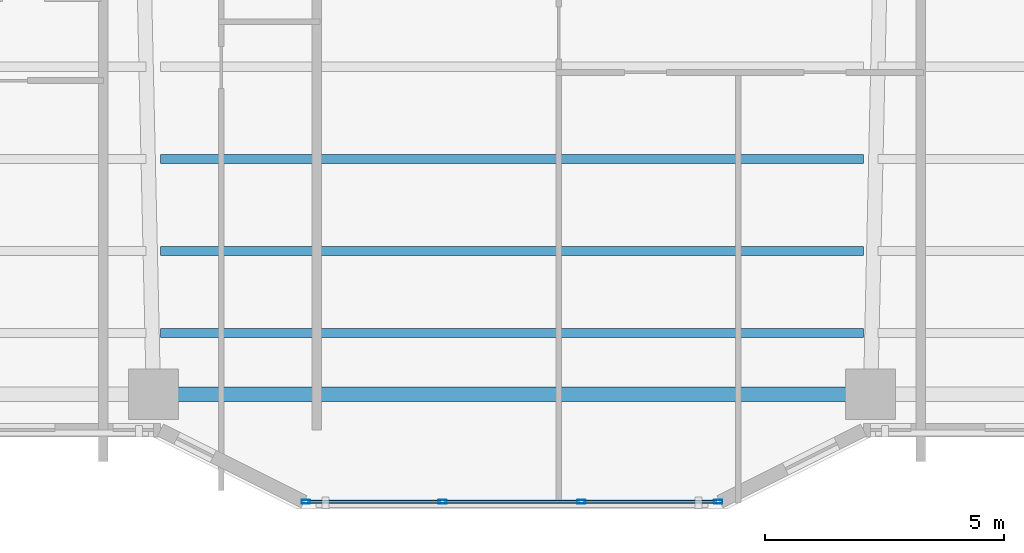
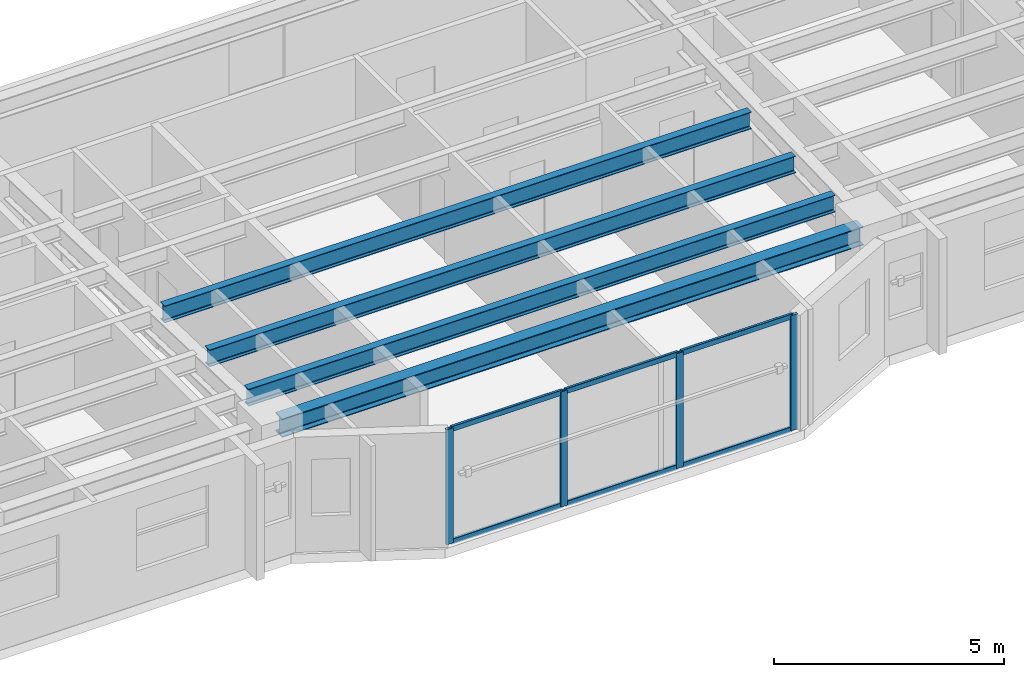
# One storey, part 2 of 18: 10 members, 4 beams, 1 element without a shape of its own.
"""IFC4 building model written with IfcOpenShell, lengths in metres."""

from ifc_helpers import new_model, si_unit, direction, frame, origin, origin_2d, place, context, subcontext, project, spatial, hollow_rectangle, i_section, extrude, material, layer, layer_set, material_profile, profile_set, type_object, element, aggregate, save


model = new_model("IFC4")

# Units and contexts
model_context = context("Model", 3, precision=1e-05, world=origin(), true_north=direction((0.0, 1.0)))
body_context = subcontext(model_context, "Body", "Model", "MODEL_VIEW")
ifc_project = project(units=[si_unit("LENGTHUNIT", "METRE"), si_unit("AREAUNIT", "SQUARE_METRE"), si_unit("VOLUMEUNIT", "CUBIC_METRE"), si_unit("PLANEANGLEUNIT", "RADIAN"), si_unit("MASSUNIT", "GRAM", prefix="KILO")], contexts=[model_context])

# Site, building, storey
site_placement = place(None, origin())
site = spatial("IfcSite", under=ifc_project, at=site_placement, CompositionType="ELEMENT")
building_placement = place(site_placement, origin())
building = spatial("IfcBuilding", under=site, at=building_placement, Name="Tarnavaz Court Tower", CompositionType="ELEMENT")
storey_placement = place(building_placement, frame((0.0, 0.0, 115.14990234375)))
storey = spatial("IfcBuildingStorey", under=building, at=storey_placement, Name="L31", CompositionType="ELEMENT", Elevation=115.14990234375)

# Beams
ifc_material_1 = material(Name="Steel S355", Category="steel")
ifc_material_profile_1 = material_profile(ifc_material_1, i_section(OverallWidth=0.18994140625, OverallDepth=0.449951171875, WebThickness=0.009521484375, FlangeThickness=0.0146484375, FilletRadius=0.02099609375, at=origin_2d()), Name="IPE 450")
ifc_profile_set_1 = profile_set([ifc_material_profile_1], Name="Steel S355")
beam_type_1 = type_object("IfcBeamType", Name="BM-J-IPE450", PredefinedType="JOIST", material=ifc_profile_set_1)
for number, where, z_axis, x_axis, name in (
    (1, (-7.35009765625, -16.3779296875, 2.8251953125), (1.0, 0.0, 0.0), (0.0, 1.0, 0.0), "L31 Beam JS3-2"),
    (2, (-7.35009765625, -18.303955078125, 2.8251953125), (1.0, 0.0, 0.0), (0.0, 1.0, 0.0), "L31 Beam JS4-2"),
    (3, (-7.35009765625, -20.01611328125, 2.8251953125), (1.0, 0.0, 0.0), (0.0, 1.0, 0.0), "L31 Beam JS5-2"),
):
    element("IfcBeam", number, at=place(storey_placement, frame(where, z_axis=z_axis, x_axis=x_axis)), inside=storey, type_object=beam_type_1, Name=name, PredefinedType="JOIST", context=body_context, shape_type="SweptSolid", body=[
        extrude(i_section(OverallWidth=0.18994140625, OverallDepth=0.449951171875, WebThickness=0.009521484375, FlangeThickness=0.0146484375, FilletRadius=0.02099609375, at=origin_2d()), origin(), (0.0, 0.0, 1.0), 14.7001953125),
    ])
ifc_material_profile_2 = material_profile(ifc_material_1, i_section(OverallWidth=0.300048828125, OverallDepth=0.489990234375, WebThickness=0.011962890625, FlangeThickness=0.02294921875, FilletRadius=0.027099609375, at=origin_2d()), Name="HEA 500")
ifc_profile_set_2 = profile_set([ifc_material_profile_2], Name="Steel S355")
beam_type_2 = type_object("IfcBeamType", Name="BM-SP-HEA500", PredefinedType="SPANDREL", material=ifc_profile_set_2)
beam_placement = place(storey_placement, frame((-7.280029296875, -21.300048828125, 2.80517578125), z_axis=(1.0, 0.0, 0.0), x_axis=(0.0, 1.0, 0.0)))
element("IfcBeam", 4, at=beam_placement, inside=storey, type_object=beam_type_2, Name="L31 Beam PR-PS-2-PS-3", PredefinedType="SPANDREL", context=body_context, shape_type="SweptSolid", body=[
    extrude(i_section(OverallWidth=0.300048828125, OverallDepth=0.489990234375, WebThickness=0.011962890625, FlangeThickness=0.02294921875, FilletRadius=0.027099609375, at=origin_2d()), origin(), (0.0, 0.0, 1.0), 14.56005859375),
])

# Curtain wall, members
ifc_material_2 = material(Name="Anodised Aluminium 6063-T6 and Solar Low-E Glazing", Category="aluminium")
ifc_layer = layer(ifc_material_2, 0.179931640625)
ifc_layer_set = layer_set([ifc_layer], Name="Anodised Aluminium 6063-T6 and Solar Low-E Glazing")
curtain_wall_type = type_object("IfcCurtainWallType", Name="CW-SYS-02", PredefinedType="NOTDEFINED", material=ifc_layer_set)
curtain_wall_placement = place(storey_placement, origin())
curtain_wall = element("IfcCurtainWall", 5, at=curtain_wall_placement, inside=storey, type_object=curtain_wall_type, Name="L31 Iwan Prow Curtain Wall 17", PredefinedType="NOTDEFINED")
ifc_material_3 = material(Name="Anodised Aluminium 6063-T6", Category="aluminium")
ifc_material_profile_3 = material_profile(ifc_material_3, hollow_rectangle(XDim=0.074951171875, YDim=0.179931640625, WallThickness=0.0048828125, InnerFilletRadius=0.0048828125, OuterFilletRadius=0.010009765625, at=origin_2d()), Name="ALU RHS 180X75X5")
ifc_profile_set_3 = profile_set([ifc_material_profile_3], Name="Anodised Aluminium 6063-T6")
member_type_1 = type_object("IfcMemberType", Name="CW-MUL-180", PredefinedType="MULLION", material=ifc_profile_set_3)
member_1_placement = place(storey_placement, frame((4.3125, -23.550048828125, 0.0), z_axis=(0.0, 0.0, 1.0), x_axis=(0.0, -1.0, 0.0)))
member_1 = element("IfcMember", 6, at=member_1_placement, type_object=member_type_1, Name="CW mullion 1", PredefinedType="MULLION", context=body_context, shape_type="SweptSolid", body=[
    extrude(hollow_rectangle(XDim=0.074951171875, YDim=0.179931640625, WallThickness=0.0048828125, InnerFilletRadius=0.0048828125, OuterFilletRadius=0.010009765625, at=origin_2d()), origin(), (0.0, 0.0, 1.0), 3.050048828125),
])
member_2_placement = place(storey_placement, frame((1.449951171875, -23.550048828125, 0.0), z_axis=(0.0, 0.0, 1.0), x_axis=(0.0, -1.0, 0.0)))
member_2 = element("IfcMember", 7, at=member_2_placement, type_object=member_type_1, Name="CW mullion 2", PredefinedType="MULLION", context=body_context, shape_type="SweptSolid", body=[
    extrude(hollow_rectangle(XDim=0.074951171875, YDim=0.179931640625, WallThickness=0.0048828125, InnerFilletRadius=0.0048828125, OuterFilletRadius=0.010009765625, at=origin_2d()), origin(), (0.0, 0.0, 1.0), 3.050048828125),
])
member_3_placement = place(storey_placement, frame((-1.449951171875, -23.550048828125, 0.0), z_axis=(0.0, 0.0, 1.0), x_axis=(0.0, -1.0, 0.0)))
member_3 = element("IfcMember", 8, at=member_3_placement, type_object=member_type_1, Name="CW mullion 3", PredefinedType="MULLION", context=body_context, shape_type="SweptSolid", body=[
    extrude(hollow_rectangle(XDim=0.074951171875, YDim=0.179931640625, WallThickness=0.0048828125, InnerFilletRadius=0.0048828125, OuterFilletRadius=0.010009765625, at=origin_2d()), origin(), (0.0, 0.0, 1.0), 3.050048828125),
])
member_4_placement = place(storey_placement, frame((-4.3125, -23.550048828125, 0.0), z_axis=(0.0, 0.0, 1.0), x_axis=(0.0, -1.0, 0.0)))
member_4 = element("IfcMember", 9, at=member_4_placement, type_object=member_type_1, Name="CW mullion 4", PredefinedType="MULLION", context=body_context, shape_type="SweptSolid", body=[
    extrude(hollow_rectangle(XDim=0.074951171875, YDim=0.179931640625, WallThickness=0.0048828125, InnerFilletRadius=0.0048828125, OuterFilletRadius=0.010009765625, at=origin_2d()), origin(), (0.0, 0.0, 1.0), 3.050048828125),
])
ifc_material_profile_4 = material_profile(ifc_material_3, hollow_rectangle(XDim=0.06494140625, YDim=0.139892578125, WallThickness=0.00390625, InnerFilletRadius=0.00390625, OuterFilletRadius=0.008056640625, at=origin_2d()), Name="ALU RHS 140X65X4")
ifc_profile_set_4 = profile_set([ifc_material_profile_4], Name="Anodised Aluminium 6063-T6")
member_type_2 = type_object("IfcMemberType", Name="CW-TRN-140", PredefinedType="USERDEFINED", material=ifc_profile_set_4)
member_5_placement = place(storey_placement, frame((4.27490234375, -23.550048828125, 0.03271484375), z_axis=(-1.0, 0.0, 0.0), x_axis=(0.0, -1.0, 0.0)))
member_5 = element("IfcMember", 10, at=member_5_placement, type_object=member_type_2, Name="CW transom 1.1", ObjectType="TRANSOM", PredefinedType="USERDEFINED", context=body_context, shape_type="SweptSolid", body=[
    extrude(hollow_rectangle(XDim=0.06494140625, YDim=0.139892578125, WallThickness=0.00390625, InnerFilletRadius=0.00390625, OuterFilletRadius=0.008056640625, at=origin_2d()), origin(), (0.0, 0.0, 1.0), 2.787353515625),
])
member_6_placement = place(storey_placement, frame((4.27490234375, -23.550048828125, 3.017578125), z_axis=(-1.0, 0.0, 0.0), x_axis=(0.0, -1.0, 0.0)))
member_6 = element("IfcMember", 11, at=member_6_placement, type_object=member_type_2, Name="CW transom 1.2", ObjectType="TRANSOM", PredefinedType="USERDEFINED", context=body_context, shape_type="SweptSolid", body=[
    extrude(hollow_rectangle(XDim=0.06494140625, YDim=0.139892578125, WallThickness=0.00390625, InnerFilletRadius=0.00390625, OuterFilletRadius=0.008056640625, at=origin_2d()), origin(), (0.0, 0.0, 1.0), 2.787353515625),
])
member_7_placement = place(storey_placement, frame((1.41259765625, -23.550048828125, 0.03271484375), z_axis=(-1.0, 0.0, 0.0), x_axis=(0.0, -1.0, 0.0)))
member_7 = element("IfcMember", 12, at=member_7_placement, type_object=member_type_2, Name="CW transom 2.1", ObjectType="TRANSOM", PredefinedType="USERDEFINED", context=body_context, shape_type="SweptSolid", body=[
    extrude(hollow_rectangle(XDim=0.06494140625, YDim=0.139892578125, WallThickness=0.00390625, InnerFilletRadius=0.00390625, OuterFilletRadius=0.008056640625, at=origin_2d()), origin(), (0.0, 0.0, 1.0), 2.8251953125),
])
member_8_placement = place(storey_placement, frame((1.41259765625, -23.550048828125, 3.017578125), z_axis=(-1.0, 0.0, 0.0), x_axis=(0.0, -1.0, 0.0)))
member_8 = element("IfcMember", 13, at=member_8_placement, type_object=member_type_2, Name="CW transom 2.2", ObjectType="TRANSOM", PredefinedType="USERDEFINED", context=body_context, shape_type="SweptSolid", body=[
    extrude(hollow_rectangle(XDim=0.06494140625, YDim=0.139892578125, WallThickness=0.00390625, InnerFilletRadius=0.00390625, OuterFilletRadius=0.008056640625, at=origin_2d()), origin(), (0.0, 0.0, 1.0), 2.8251953125),
])
member_9_placement = place(storey_placement, frame((-1.487548828125, -23.550048828125, 0.03271484375), z_axis=(-1.0, 0.0, 0.0), x_axis=(0.0, -1.0, 0.0)))
member_9 = element("IfcMember", 14, at=member_9_placement, type_object=member_type_2, Name="CW transom 3.1", ObjectType="TRANSOM", PredefinedType="USERDEFINED", context=body_context, shape_type="SweptSolid", body=[
    extrude(hollow_rectangle(XDim=0.06494140625, YDim=0.139892578125, WallThickness=0.00390625, InnerFilletRadius=0.00390625, OuterFilletRadius=0.008056640625, at=origin_2d()), origin(), (0.0, 0.0, 1.0), 2.787353515625),
])
member_10_placement = place(storey_placement, frame((-1.487548828125, -23.550048828125, 3.017578125), z_axis=(-1.0, 0.0, 0.0), x_axis=(0.0, -1.0, 0.0)))
member_10 = element("IfcMember", 15, at=member_10_placement, type_object=member_type_2, Name="CW transom 3.2", ObjectType="TRANSOM", PredefinedType="USERDEFINED", context=body_context, shape_type="SweptSolid", body=[
    extrude(hollow_rectangle(XDim=0.06494140625, YDim=0.139892578125, WallThickness=0.00390625, InnerFilletRadius=0.00390625, OuterFilletRadius=0.008056640625, at=origin_2d()), origin(), (0.0, 0.0, 1.0), 2.787353515625),
])
aggregate(curtain_wall, [member_1, member_2, member_3, member_4, member_5, member_6, member_7, member_8, member_9, member_10])

save(model, "model.ifc")
